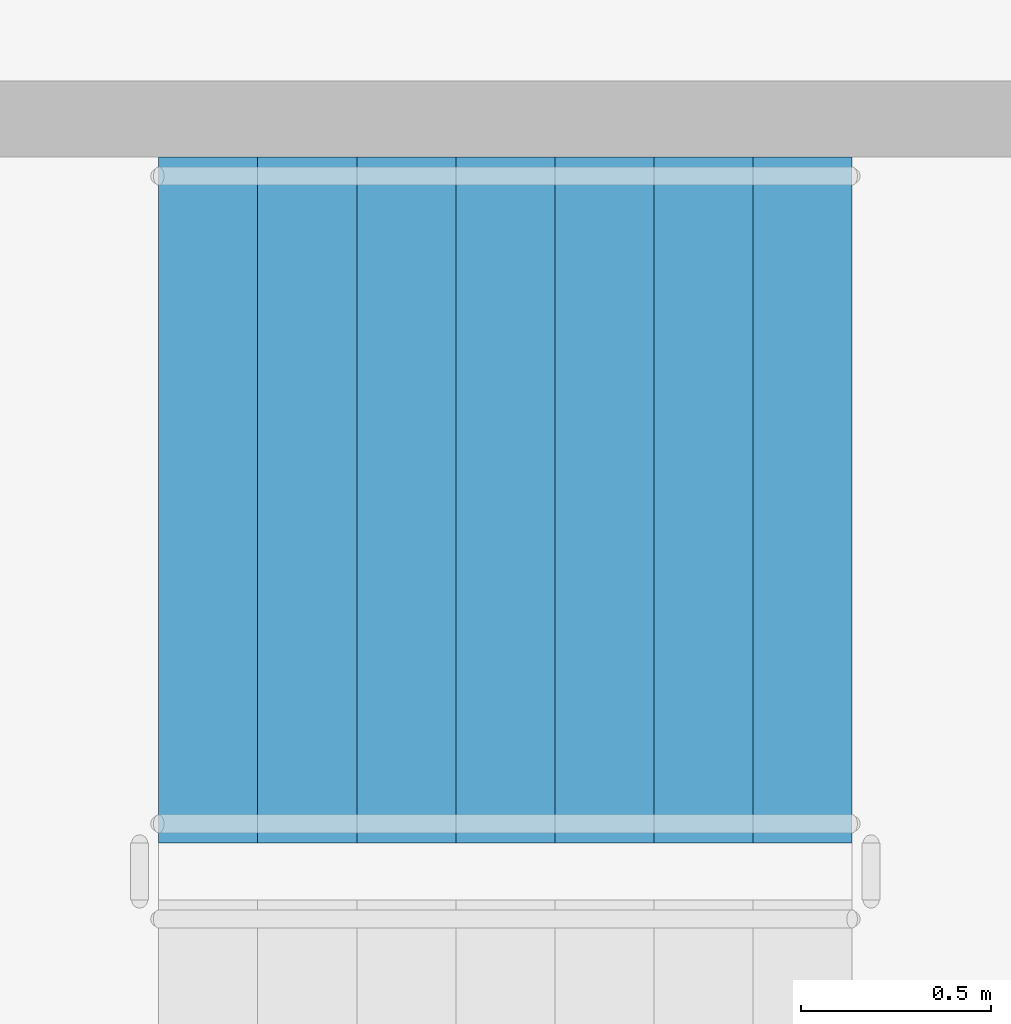
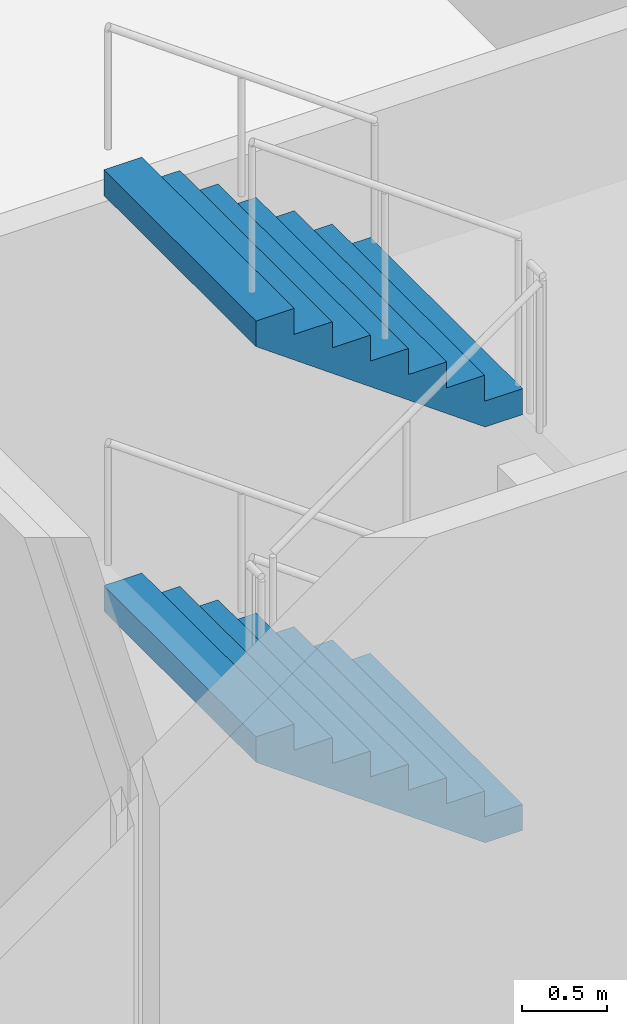
# One storey, part 53 of 75: 2 stair flights, 1 element without a shape of its own.
"""IFC4 building model written with IfcOpenShell, lengths in metres."""

from ifc_helpers import new_model, si_unit, direction, frame, origin, place, context, subcontext, project, spatial, faceted_brep, material, type_object, element, aggregate, save


model = new_model("IFC4")

# Units and contexts
model_context = context("Model", 3, precision=1e-05, world=origin(), true_north=direction((0.0, 1.0)))
body_context = subcontext(model_context, "Body", "Model", "MODEL_VIEW")
ifc_project = project(units=[si_unit("LENGTHUNIT", "METRE"), si_unit("AREAUNIT", "SQUARE_METRE"), si_unit("VOLUMEUNIT", "CUBIC_METRE"), si_unit("PLANEANGLEUNIT", "RADIAN"), si_unit("MASSUNIT", "GRAM", prefix="KILO")], contexts=[model_context])

# Site, building, storey
site_placement = place(None, origin())
site = spatial("IfcSite", under=ifc_project, at=site_placement, CompositionType="ELEMENT")
building_placement = place(site_placement, origin())
building = spatial("IfcBuilding", under=site, at=building_placement, Name="Ipe Terrace Towers", CompositionType="ELEMENT")
storey_placement = place(building_placement, origin())
storey = spatial("IfcBuildingStorey", under=building, at=storey_placement, Name="L00", CompositionType="ELEMENT", Elevation=0.0)

# Stair, stair flights
ifc_material_1 = material(Name="Concrete C30/37", Category="concrete")
stair_type = type_object("IfcStairType", Name="Protected exit stair", PredefinedType="HALF_TURN_STAIR", material=ifc_material_1)
stair_placement = place(storey_placement, origin())
stair = element("IfcStair", 1, at=stair_placement, inside=storey, type_object=stair_type, Name="L00 Podium exit stair PS6", PredefinedType="HALF_TURN_STAIR")
ifc_material_2 = material(Name="Concrete C30/37", Category="concrete")
stair_flight_type = type_object("IfcStairFlightType", Name="Exit stair flight 1800", PredefinedType="STRAIGHT", material=ifc_material_2)
stair_flight_1_placement = place(storey_placement, frame((51.590087890625, -20.550048828125, 1.5), z_axis=(0.0, 0.0, 1.0), x_axis=(-1.0, 0.0, 0.0)))
stair_flight_1 = element("IfcStairFlight", 2, at=stair_flight_1_placement, type_object=stair_flight_type, Name="PS6 flight 2", NumberOfRisers=8, NumberOfTreads=7, PredefinedType="STRAIGHT", RiserHeight=0.1875, TreadLength=0.26, context=body_context, shape_type="Brep", body=[
    faceted_brep([(0.25634765625, -0.89990234375, 0.0), (1.820068359375, -0.89990234375, 1.127685546875), (1.820068359375, -0.89990234375, 1.3125), (1.56005859375, -0.89990234375, 1.3125), (1.56005859375, -0.89990234375, 1.125), (1.300048828125, -0.89990234375, 1.125), (1.300048828125, -0.89990234375, 0.9375), (1.0400390625, -0.89990234375, 0.9375), (1.0400390625, -0.89990234375, 0.75), (0.780029296875, -0.89990234375, 0.75), (0.780029296875, -0.89990234375, 0.5625), (0.52001953125, -0.89990234375, 0.5625), (0.52001953125, -0.89990234375, 0.375), (0.260009765625, -0.89990234375, 0.375), (0.260009765625, -0.89990234375, 0.1875), (0.0, -0.89990234375, 0.1875), (0.0, -0.89990234375, 0.0), (0.0, 0.89990234375, 0.0), (0.0, 0.89990234375, 0.1875), (0.260009765625, 0.89990234375, 0.1875), (0.260009765625, 0.89990234375, 0.375), (0.52001953125, 0.89990234375, 0.375), (0.52001953125, 0.89990234375, 0.5625), (0.780029296875, 0.89990234375, 0.5625), (0.780029296875, 0.89990234375, 0.75), (1.0400390625, 0.89990234375, 0.75), (1.0400390625, 0.89990234375, 0.9375), (1.300048828125, 0.89990234375, 0.9375), (1.300048828125, 0.89990234375, 1.125), (1.56005859375, 0.89990234375, 1.125), (1.56005859375, 0.89990234375, 1.3125), (1.820068359375, 0.89990234375, 1.3125), (1.820068359375, 0.89990234375, 1.127685546875), (0.25634765625, 0.89990234375, 0.0), (0.0, -0.300048828125, 0.1875), (0.0, -0.1201171875, 0.1875), (0.0, -0.06005859375, 0.1875), (0.0, -0.030029296875, 0.1875), (0.0, -0.010009765625, 0.1875), (0.0, 0.0, 0.1875), (0.0, 0.010009765625, 0.1875), (0.0, 0.030029296875, 0.1875), (0.0, 0.06005859375, 0.1875), (0.0, 0.1201171875, 0.1875), (0.0, 0.300048828125, 0.1875), (0.0, 0.300048828125, 0.0), (0.0, 0.1201171875, 0.0), (0.0, 0.06005859375, 0.0), (0.0, 0.030029296875, 0.0), (0.0, 0.010009765625, 0.0), (0.0, 0.0, 0.0), (0.0, -0.010009765625, 0.0), (0.0, -0.030029296875, 0.0), (0.0, -0.06005859375, 0.0), (0.0, -0.1201171875, 0.0), (0.0, -0.300048828125, 0.0), (0.260009765625, -0.300048828125, 0.1875), (0.260009765625, -0.1201171875, 0.1875), (0.260009765625, -0.06005859375, 0.1875), (0.260009765625, -0.030029296875, 0.1875), (0.260009765625, -0.010009765625, 0.1875), (0.260009765625, 0.0, 0.1875), (0.260009765625, 0.010009765625, 0.1875), (0.260009765625, 0.030029296875, 0.1875), (0.260009765625, 0.06005859375, 0.1875), (0.260009765625, 0.1201171875, 0.1875), (0.260009765625, 0.300048828125, 0.1875), (0.260009765625, -0.300048828125, 0.375), (0.260009765625, -0.1201171875, 0.375), (0.260009765625, -0.06005859375, 0.375), (0.260009765625, -0.030029296875, 0.375), (0.260009765625, -0.010009765625, 0.375), (0.260009765625, 0.0, 0.375), (0.260009765625, 0.010009765625, 0.375), (0.260009765625, 0.030029296875, 0.375), (0.260009765625, 0.06005859375, 0.375), (0.260009765625, 0.1201171875, 0.375), (0.260009765625, 0.300048828125, 0.375), (0.52001953125, -0.300048828125, 0.375), (0.52001953125, -0.1201171875, 0.375), (0.52001953125, -0.06005859375, 0.375), (0.52001953125, -0.030029296875, 0.375), (0.52001953125, -0.010009765625, 0.375), (0.52001953125, 0.0, 0.375), (0.52001953125, 0.010009765625, 0.375), (0.52001953125, 0.030029296875, 0.375), (0.52001953125, 0.06005859375, 0.375), (0.52001953125, 0.1201171875, 0.375), (0.52001953125, 0.300048828125, 0.375), (0.52001953125, -0.300048828125, 0.5625), (0.52001953125, -0.1201171875, 0.5625), (0.52001953125, -0.06005859375, 0.5625), (0.52001953125, -0.030029296875, 0.5625), (0.52001953125, -0.010009765625, 0.5625), (0.52001953125, 0.0, 0.5625), (0.52001953125, 0.010009765625, 0.5625), (0.52001953125, 0.030029296875, 0.5625), (0.52001953125, 0.06005859375, 0.5625), (0.52001953125, 0.1201171875, 0.5625), (0.52001953125, 0.300048828125, 0.5625), (0.780029296875, -0.300048828125, 0.5625), (0.780029296875, -0.1201171875, 0.5625), (0.780029296875, -0.06005859375, 0.5625), (0.780029296875, -0.030029296875, 0.5625), (0.780029296875, -0.010009765625, 0.5625), (0.780029296875, 0.0, 0.5625), (0.780029296875, 0.010009765625, 0.5625), (0.780029296875, 0.030029296875, 0.5625), (0.780029296875, 0.06005859375, 0.5625), (0.780029296875, 0.1201171875, 0.5625), (0.780029296875, 0.300048828125, 0.5625), (0.780029296875, -0.300048828125, 0.75), (0.780029296875, -0.1201171875, 0.75), (0.780029296875, -0.06005859375, 0.75), (0.780029296875, -0.030029296875, 0.75), (0.780029296875, -0.010009765625, 0.75), (0.780029296875, 0.0, 0.75), (0.780029296875, 0.010009765625, 0.75), (0.780029296875, 0.030029296875, 0.75), (0.780029296875, 0.06005859375, 0.75), (0.780029296875, 0.1201171875, 0.75), (0.780029296875, 0.300048828125, 0.75), (1.0400390625, -0.300048828125, 0.75), (1.0400390625, -0.1201171875, 0.75), (1.0400390625, -0.06005859375, 0.75), (1.0400390625, -0.030029296875, 0.75), (1.0400390625, -0.010009765625, 0.75), (1.0400390625, 0.0, 0.75), (1.0400390625, 0.010009765625, 0.75), (1.0400390625, 0.030029296875, 0.75), (1.0400390625, 0.06005859375, 0.75), (1.0400390625, 0.1201171875, 0.75), (1.0400390625, 0.300048828125, 0.75), (1.0400390625, -0.300048828125, 0.9375), (1.0400390625, -0.1201171875, 0.9375), (1.0400390625, -0.06005859375, 0.9375), (1.0400390625, -0.030029296875, 0.9375), (1.0400390625, -0.010009765625, 0.9375), (1.0400390625, 0.0, 0.9375), (1.0400390625, 0.010009765625, 0.9375), (1.0400390625, 0.030029296875, 0.9375), (1.0400390625, 0.06005859375, 0.9375), (1.0400390625, 0.1201171875, 0.9375), (1.0400390625, 0.300048828125, 0.9375), (1.300048828125, -0.300048828125, 0.9375), (1.300048828125, -0.1201171875, 0.9375), (1.300048828125, -0.06005859375, 0.9375), (1.300048828125, -0.030029296875, 0.9375), (1.300048828125, -0.010009765625, 0.9375), (1.300048828125, 0.0, 0.9375), (1.300048828125, 0.010009765625, 0.9375), (1.300048828125, 0.030029296875, 0.9375), (1.300048828125, 0.06005859375, 0.9375), (1.300048828125, 0.1201171875, 0.9375), (1.300048828125, 0.300048828125, 0.9375), (1.300048828125, -0.300048828125, 1.125), (1.300048828125, -0.1201171875, 1.125), (1.300048828125, -0.06005859375, 1.125), (1.300048828125, -0.030029296875, 1.125), (1.300048828125, -0.010009765625, 1.125), (1.300048828125, 0.0, 1.125), (1.300048828125, 0.010009765625, 1.125), (1.300048828125, 0.030029296875, 1.125), (1.300048828125, 0.06005859375, 1.125), (1.300048828125, 0.1201171875, 1.125), (1.300048828125, 0.300048828125, 1.125), (1.56005859375, -0.300048828125, 1.125), (1.56005859375, -0.1201171875, 1.125), (1.56005859375, -0.06005859375, 1.125), (1.56005859375, -0.030029296875, 1.125), (1.56005859375, -0.010009765625, 1.125), (1.56005859375, 0.0, 1.125), (1.56005859375, 0.010009765625, 1.125), (1.56005859375, 0.030029296875, 1.125), (1.56005859375, 0.06005859375, 1.125), (1.56005859375, 0.1201171875, 1.125), (1.56005859375, 0.300048828125, 1.125), (1.56005859375, -0.300048828125, 1.3125), (1.56005859375, -0.1201171875, 1.3125), (1.56005859375, -0.06005859375, 1.3125), (1.56005859375, -0.030029296875, 1.3125), (1.56005859375, -0.010009765625, 1.3125), (1.56005859375, 0.0, 1.3125), (1.56005859375, 0.010009765625, 1.3125), (1.56005859375, 0.030029296875, 1.3125), (1.56005859375, 0.06005859375, 1.3125), (1.56005859375, 0.1201171875, 1.3125), (1.56005859375, 0.300048828125, 1.3125), (1.820068359375, -0.300048828125, 1.3125), (1.820068359375, -0.1201171875, 1.3125), (1.820068359375, -0.06005859375, 1.3125), (1.820068359375, -0.030029296875, 1.3125), (1.820068359375, -0.010009765625, 1.3125), (1.820068359375, 0.0, 1.3125), (1.820068359375, 0.010009765625, 1.3125), (1.820068359375, 0.030029296875, 1.3125), (1.820068359375, 0.06005859375, 1.3125), (1.820068359375, 0.1201171875, 1.3125), (1.820068359375, 0.300048828125, 1.3125), (1.820068359375, -0.300048828125, 1.127685546875), (1.820068359375, -0.1201171875, 1.127685546875), (1.820068359375, -0.06005859375, 1.127685546875), (1.820068359375, -0.030029296875, 1.127685546875), (1.820068359375, -0.010009765625, 1.127685546875), (1.820068359375, 0.0, 1.127685546875), (1.820068359375, 0.010009765625, 1.127685546875), (1.820068359375, 0.030029296875, 1.127685546875), (1.820068359375, 0.06005859375, 1.127685546875), (1.820068359375, 0.1201171875, 1.127685546875), (1.820068359375, 0.300048828125, 1.127685546875), (0.25634765625, -0.300048828125, 0.0), (0.25634765625, -0.1201171875, 0.0), (0.25634765625, -0.06005859375, 0.0), (0.25634765625, -0.030029296875, 0.0), (0.25634765625, -0.010009765625, 0.0), (0.25634765625, 0.0, 0.0), (0.25634765625, 0.010009765625, 0.0), (0.25634765625, 0.030029296875, 0.0), (0.25634765625, 0.06005859375, 0.0), (0.25634765625, 0.1201171875, 0.0), (0.25634765625, 0.300048828125, 0.0)], [[[0, 1, 2, 3, 4, 5, 6, 7, 8, 9, 10, 11, 12, 13, 14, 15, 16]], [[17, 18, 19, 20, 21, 22, 23, 24, 25, 26, 27, 28, 29, 30, 31, 32, 33]], [[15, 34, 35, 36, 37, 38, 39, 40, 41, 42, 43, 44, 18, 17, 45, 46, 47, 48, 49, 50, 51, 52, 53, 54, 55, 16]], [[14, 56, 57, 58, 59, 60, 61, 62, 63, 64, 65, 66, 19, 18, 44, 43, 42, 41, 40, 39, 38, 37, 36, 35, 34, 15]], [[13, 67, 68, 69, 70, 71, 72, 73, 74, 75, 76, 77, 20, 19, 66, 65, 64, 63, 62, 61, 60, 59, 58, 57, 56, 14]], [[12, 78, 79, 80, 81, 82, 83, 84, 85, 86, 87, 88, 21, 20, 77, 76, 75, 74, 73, 72, 71, 70, 69, 68, 67, 13]], [[11, 89, 90, 91, 92, 93, 94, 95, 96, 97, 98, 99, 22, 21, 88, 87, 86, 85, 84, 83, 82, 81, 80, 79, 78, 12]], [[10, 100, 101, 102, 103, 104, 105, 106, 107, 108, 109, 110, 23, 22, 99, 98, 97, 96, 95, 94, 93, 92, 91, 90, 89, 11]], [[9, 111, 112, 113, 114, 115, 116, 117, 118, 119, 120, 121, 24, 23, 110, 109, 108, 107, 106, 105, 104, 103, 102, 101, 100, 10]], [[8, 122, 123, 124, 125, 126, 127, 128, 129, 130, 131, 132, 25, 24, 121, 120, 119, 118, 117, 116, 115, 114, 113, 112, 111, 9]], [[7, 133, 134, 135, 136, 137, 138, 139, 140, 141, 142, 143, 26, 25, 132, 131, 130, 129, 128, 127, 126, 125, 124, 123, 122, 8]], [[6, 144, 145, 146, 147, 148, 149, 150, 151, 152, 153, 154, 27, 26, 143, 142, 141, 140, 139, 138, 137, 136, 135, 134, 133, 7]], [[5, 155, 156, 157, 158, 159, 160, 161, 162, 163, 164, 165, 28, 27, 154, 153, 152, 151, 150, 149, 148, 147, 146, 145, 144, 6]], [[4, 166, 167, 168, 169, 170, 171, 172, 173, 174, 175, 176, 29, 28, 165, 164, 163, 162, 161, 160, 159, 158, 157, 156, 155, 5]], [[3, 177, 178, 179, 180, 181, 182, 183, 184, 185, 186, 187, 30, 29, 176, 175, 174, 173, 172, 171, 170, 169, 168, 167, 166, 4]], [[2, 188, 189, 190, 191, 192, 193, 194, 195, 196, 197, 198, 31, 30, 187, 186, 185, 184, 183, 182, 181, 180, 179, 178, 177, 3]], [[1, 199, 200, 201, 202, 203, 204, 205, 206, 207, 208, 209, 32, 31, 198, 197, 196, 195, 194, 193, 192, 191, 190, 189, 188, 2]], [[0, 210, 211, 212, 213, 214, 215, 216, 217, 218, 219, 220, 33, 32, 209, 208, 207, 206, 205, 204, 203, 202, 201, 200, 199, 1]], [[16, 55, 54, 53, 52, 51, 50, 49, 48, 47, 46, 45, 17, 33, 220, 219, 218, 217, 216, 215, 214, 213, 212, 211, 210, 0]]]),
])
stair_flight_2_placement = place(storey_placement, frame((51.590087890625, -20.550048828125, 4.5), z_axis=(0.0, 0.0, 1.0), x_axis=(-1.0, 0.0, 0.0)))
stair_flight_2 = element("IfcStairFlight", 3, at=stair_flight_2_placement, type_object=stair_flight_type, Name="PS6 flight 4", NumberOfRisers=8, NumberOfTreads=7, PredefinedType="STRAIGHT", RiserHeight=0.1875, TreadLength=0.26, context=body_context, shape_type="Brep", body=[
    faceted_brep([(0.25634765625, -0.89990234375, 0.0), (1.820068359375, -0.89990234375, 1.127685546875), (1.820068359375, -0.89990234375, 1.3125), (1.56005859375, -0.89990234375, 1.3125), (1.56005859375, -0.89990234375, 1.125), (1.300048828125, -0.89990234375, 1.125), (1.300048828125, -0.89990234375, 0.9375), (1.0400390625, -0.89990234375, 0.9375), (1.0400390625, -0.89990234375, 0.75), (0.780029296875, -0.89990234375, 0.75), (0.780029296875, -0.89990234375, 0.5625), (0.52001953125, -0.89990234375, 0.5625), (0.52001953125, -0.89990234375, 0.375), (0.260009765625, -0.89990234375, 0.375), (0.260009765625, -0.89990234375, 0.1875), (0.0, -0.89990234375, 0.1875), (0.0, -0.89990234375, 0.0), (0.0, 0.89990234375, 0.0), (0.0, 0.89990234375, 0.1875), (0.260009765625, 0.89990234375, 0.1875), (0.260009765625, 0.89990234375, 0.375), (0.52001953125, 0.89990234375, 0.375), (0.52001953125, 0.89990234375, 0.5625), (0.780029296875, 0.89990234375, 0.5625), (0.780029296875, 0.89990234375, 0.75), (1.0400390625, 0.89990234375, 0.75), (1.0400390625, 0.89990234375, 0.9375), (1.300048828125, 0.89990234375, 0.9375), (1.300048828125, 0.89990234375, 1.125), (1.56005859375, 0.89990234375, 1.125), (1.56005859375, 0.89990234375, 1.3125), (1.820068359375, 0.89990234375, 1.3125), (1.820068359375, 0.89990234375, 1.127685546875), (0.25634765625, 0.89990234375, 0.0), (0.0, -0.300048828125, 0.1875), (0.0, -0.1201171875, 0.1875), (0.0, -0.06005859375, 0.1875), (0.0, -0.030029296875, 0.1875), (0.0, -0.010009765625, 0.1875), (0.0, 0.0, 0.1875), (0.0, 0.010009765625, 0.1875), (0.0, 0.030029296875, 0.1875), (0.0, 0.06005859375, 0.1875), (0.0, 0.1201171875, 0.1875), (0.0, 0.300048828125, 0.1875), (0.0, 0.300048828125, 0.0), (0.0, 0.1201171875, 0.0), (0.0, 0.06005859375, 0.0), (0.0, 0.030029296875, 0.0), (0.0, 0.010009765625, 0.0), (0.0, 0.0, 0.0), (0.0, -0.010009765625, 0.0), (0.0, -0.030029296875, 0.0), (0.0, -0.06005859375, 0.0), (0.0, -0.1201171875, 0.0), (0.0, -0.300048828125, 0.0), (0.260009765625, -0.300048828125, 0.1875), (0.260009765625, -0.1201171875, 0.1875), (0.260009765625, -0.06005859375, 0.1875), (0.260009765625, -0.030029296875, 0.1875), (0.260009765625, -0.010009765625, 0.1875), (0.260009765625, 0.0, 0.1875), (0.260009765625, 0.010009765625, 0.1875), (0.260009765625, 0.030029296875, 0.1875), (0.260009765625, 0.06005859375, 0.1875), (0.260009765625, 0.1201171875, 0.1875), (0.260009765625, 0.300048828125, 0.1875), (0.260009765625, -0.300048828125, 0.375), (0.260009765625, -0.1201171875, 0.375), (0.260009765625, -0.06005859375, 0.375), (0.260009765625, -0.030029296875, 0.375), (0.260009765625, -0.010009765625, 0.375), (0.260009765625, 0.0, 0.375), (0.260009765625, 0.010009765625, 0.375), (0.260009765625, 0.030029296875, 0.375), (0.260009765625, 0.06005859375, 0.375), (0.260009765625, 0.1201171875, 0.375), (0.260009765625, 0.300048828125, 0.375), (0.52001953125, -0.300048828125, 0.375), (0.52001953125, -0.1201171875, 0.375), (0.52001953125, -0.06005859375, 0.375), (0.52001953125, -0.030029296875, 0.375), (0.52001953125, -0.010009765625, 0.375), (0.52001953125, 0.0, 0.375), (0.52001953125, 0.010009765625, 0.375), (0.52001953125, 0.030029296875, 0.375), (0.52001953125, 0.06005859375, 0.375), (0.52001953125, 0.1201171875, 0.375), (0.52001953125, 0.300048828125, 0.375), (0.52001953125, -0.300048828125, 0.5625), (0.52001953125, -0.1201171875, 0.5625), (0.52001953125, -0.06005859375, 0.5625), (0.52001953125, -0.030029296875, 0.5625), (0.52001953125, -0.010009765625, 0.5625), (0.52001953125, 0.0, 0.5625), (0.52001953125, 0.010009765625, 0.5625), (0.52001953125, 0.030029296875, 0.5625), (0.52001953125, 0.06005859375, 0.5625), (0.52001953125, 0.1201171875, 0.5625), (0.52001953125, 0.300048828125, 0.5625), (0.780029296875, -0.300048828125, 0.5625), (0.780029296875, -0.1201171875, 0.5625), (0.780029296875, -0.06005859375, 0.5625), (0.780029296875, -0.030029296875, 0.5625), (0.780029296875, -0.010009765625, 0.5625), (0.780029296875, 0.0, 0.5625), (0.780029296875, 0.010009765625, 0.5625), (0.780029296875, 0.030029296875, 0.5625), (0.780029296875, 0.06005859375, 0.5625), (0.780029296875, 0.1201171875, 0.5625), (0.780029296875, 0.300048828125, 0.5625), (0.780029296875, -0.300048828125, 0.75), (0.780029296875, -0.1201171875, 0.75), (0.780029296875, -0.06005859375, 0.75), (0.780029296875, -0.030029296875, 0.75), (0.780029296875, -0.010009765625, 0.75), (0.780029296875, 0.0, 0.75), (0.780029296875, 0.010009765625, 0.75), (0.780029296875, 0.030029296875, 0.75), (0.780029296875, 0.06005859375, 0.75), (0.780029296875, 0.1201171875, 0.75), (0.780029296875, 0.300048828125, 0.75), (1.0400390625, -0.300048828125, 0.75), (1.0400390625, -0.1201171875, 0.75), (1.0400390625, -0.06005859375, 0.75), (1.0400390625, -0.030029296875, 0.75), (1.0400390625, -0.010009765625, 0.75), (1.0400390625, 0.0, 0.75), (1.0400390625, 0.010009765625, 0.75), (1.0400390625, 0.030029296875, 0.75), (1.0400390625, 0.06005859375, 0.75), (1.0400390625, 0.1201171875, 0.75), (1.0400390625, 0.300048828125, 0.75), (1.0400390625, -0.300048828125, 0.9375), (1.0400390625, -0.1201171875, 0.9375), (1.0400390625, -0.06005859375, 0.9375), (1.0400390625, -0.030029296875, 0.9375), (1.0400390625, -0.010009765625, 0.9375), (1.0400390625, 0.0, 0.9375), (1.0400390625, 0.010009765625, 0.9375), (1.0400390625, 0.030029296875, 0.9375), (1.0400390625, 0.06005859375, 0.9375), (1.0400390625, 0.1201171875, 0.9375), (1.0400390625, 0.300048828125, 0.9375), (1.300048828125, -0.300048828125, 0.9375), (1.300048828125, -0.1201171875, 0.9375), (1.300048828125, -0.06005859375, 0.9375), (1.300048828125, -0.030029296875, 0.9375), (1.300048828125, -0.010009765625, 0.9375), (1.300048828125, 0.0, 0.9375), (1.300048828125, 0.010009765625, 0.9375), (1.300048828125, 0.030029296875, 0.9375), (1.300048828125, 0.06005859375, 0.9375), (1.300048828125, 0.1201171875, 0.9375), (1.300048828125, 0.300048828125, 0.9375), (1.300048828125, -0.300048828125, 1.125), (1.300048828125, -0.1201171875, 1.125), (1.300048828125, -0.06005859375, 1.125), (1.300048828125, -0.030029296875, 1.125), (1.300048828125, -0.010009765625, 1.125), (1.300048828125, 0.0, 1.125), (1.300048828125, 0.010009765625, 1.125), (1.300048828125, 0.030029296875, 1.125), (1.300048828125, 0.06005859375, 1.125), (1.300048828125, 0.1201171875, 1.125), (1.300048828125, 0.300048828125, 1.125), (1.56005859375, -0.300048828125, 1.125), (1.56005859375, -0.1201171875, 1.125), (1.56005859375, -0.06005859375, 1.125), (1.56005859375, -0.030029296875, 1.125), (1.56005859375, -0.010009765625, 1.125), (1.56005859375, 0.0, 1.125), (1.56005859375, 0.010009765625, 1.125), (1.56005859375, 0.030029296875, 1.125), (1.56005859375, 0.06005859375, 1.125), (1.56005859375, 0.1201171875, 1.125), (1.56005859375, 0.300048828125, 1.125), (1.56005859375, -0.300048828125, 1.3125), (1.56005859375, -0.1201171875, 1.3125), (1.56005859375, -0.06005859375, 1.3125), (1.56005859375, -0.030029296875, 1.3125), (1.56005859375, -0.010009765625, 1.3125), (1.56005859375, 0.0, 1.3125), (1.56005859375, 0.010009765625, 1.3125), (1.56005859375, 0.030029296875, 1.3125), (1.56005859375, 0.06005859375, 1.3125), (1.56005859375, 0.1201171875, 1.3125), (1.56005859375, 0.300048828125, 1.3125), (1.820068359375, -0.300048828125, 1.3125), (1.820068359375, -0.1201171875, 1.3125), (1.820068359375, -0.06005859375, 1.3125), (1.820068359375, -0.030029296875, 1.3125), (1.820068359375, -0.010009765625, 1.3125), (1.820068359375, 0.0, 1.3125), (1.820068359375, 0.010009765625, 1.3125), (1.820068359375, 0.030029296875, 1.3125), (1.820068359375, 0.06005859375, 1.3125), (1.820068359375, 0.1201171875, 1.3125), (1.820068359375, 0.300048828125, 1.3125), (1.820068359375, -0.300048828125, 1.127685546875), (1.820068359375, -0.1201171875, 1.127685546875), (1.820068359375, -0.06005859375, 1.127685546875), (1.820068359375, -0.030029296875, 1.127685546875), (1.820068359375, -0.010009765625, 1.127685546875), (1.820068359375, 0.0, 1.127685546875), (1.820068359375, 0.010009765625, 1.127685546875), (1.820068359375, 0.030029296875, 1.127685546875), (1.820068359375, 0.06005859375, 1.127685546875), (1.820068359375, 0.1201171875, 1.127685546875), (1.820068359375, 0.300048828125, 1.127685546875), (0.25634765625, -0.300048828125, 0.0), (0.25634765625, -0.1201171875, 0.0), (0.25634765625, -0.06005859375, 0.0), (0.25634765625, -0.030029296875, 0.0), (0.25634765625, -0.010009765625, 0.0), (0.25634765625, 0.0, 0.0), (0.25634765625, 0.010009765625, 0.0), (0.25634765625, 0.030029296875, 0.0), (0.25634765625, 0.06005859375, 0.0), (0.25634765625, 0.1201171875, 0.0), (0.25634765625, 0.300048828125, 0.0)], [[[0, 1, 2, 3, 4, 5, 6, 7, 8, 9, 10, 11, 12, 13, 14, 15, 16]], [[17, 18, 19, 20, 21, 22, 23, 24, 25, 26, 27, 28, 29, 30, 31, 32, 33]], [[15, 34, 35, 36, 37, 38, 39, 40, 41, 42, 43, 44, 18, 17, 45, 46, 47, 48, 49, 50, 51, 52, 53, 54, 55, 16]], [[14, 56, 57, 58, 59, 60, 61, 62, 63, 64, 65, 66, 19, 18, 44, 43, 42, 41, 40, 39, 38, 37, 36, 35, 34, 15]], [[13, 67, 68, 69, 70, 71, 72, 73, 74, 75, 76, 77, 20, 19, 66, 65, 64, 63, 62, 61, 60, 59, 58, 57, 56, 14]], [[12, 78, 79, 80, 81, 82, 83, 84, 85, 86, 87, 88, 21, 20, 77, 76, 75, 74, 73, 72, 71, 70, 69, 68, 67, 13]], [[11, 89, 90, 91, 92, 93, 94, 95, 96, 97, 98, 99, 22, 21, 88, 87, 86, 85, 84, 83, 82, 81, 80, 79, 78, 12]], [[10, 100, 101, 102, 103, 104, 105, 106, 107, 108, 109, 110, 23, 22, 99, 98, 97, 96, 95, 94, 93, 92, 91, 90, 89, 11]], [[9, 111, 112, 113, 114, 115, 116, 117, 118, 119, 120, 121, 24, 23, 110, 109, 108, 107, 106, 105, 104, 103, 102, 101, 100, 10]], [[8, 122, 123, 124, 125, 126, 127, 128, 129, 130, 131, 132, 25, 24, 121, 120, 119, 118, 117, 116, 115, 114, 113, 112, 111, 9]], [[7, 133, 134, 135, 136, 137, 138, 139, 140, 141, 142, 143, 26, 25, 132, 131, 130, 129, 128, 127, 126, 125, 124, 123, 122, 8]], [[6, 144, 145, 146, 147, 148, 149, 150, 151, 152, 153, 154, 27, 26, 143, 142, 141, 140, 139, 138, 137, 136, 135, 134, 133, 7]], [[5, 155, 156, 157, 158, 159, 160, 161, 162, 163, 164, 165, 28, 27, 154, 153, 152, 151, 150, 149, 148, 147, 146, 145, 144, 6]], [[4, 166, 167, 168, 169, 170, 171, 172, 173, 174, 175, 176, 29, 28, 165, 164, 163, 162, 161, 160, 159, 158, 157, 156, 155, 5]], [[3, 177, 178, 179, 180, 181, 182, 183, 184, 185, 186, 187, 30, 29, 176, 175, 174, 173, 172, 171, 170, 169, 168, 167, 166, 4]], [[2, 188, 189, 190, 191, 192, 193, 194, 195, 196, 197, 198, 31, 30, 187, 186, 185, 184, 183, 182, 181, 180, 179, 178, 177, 3]], [[1, 199, 200, 201, 202, 203, 204, 205, 206, 207, 208, 209, 32, 31, 198, 197, 196, 195, 194, 193, 192, 191, 190, 189, 188, 2]], [[0, 210, 211, 212, 213, 214, 215, 216, 217, 218, 219, 220, 33, 32, 209, 208, 207, 206, 205, 204, 203, 202, 201, 200, 199, 1]], [[16, 55, 54, 53, 52, 51, 50, 49, 48, 47, 46, 45, 17, 33, 220, 219, 218, 217, 216, 215, 214, 213, 212, 211, 210, 0]]]),
])
aggregate(stair, [stair_flight_1, stair_flight_2])

save(model, "model.ifc")
